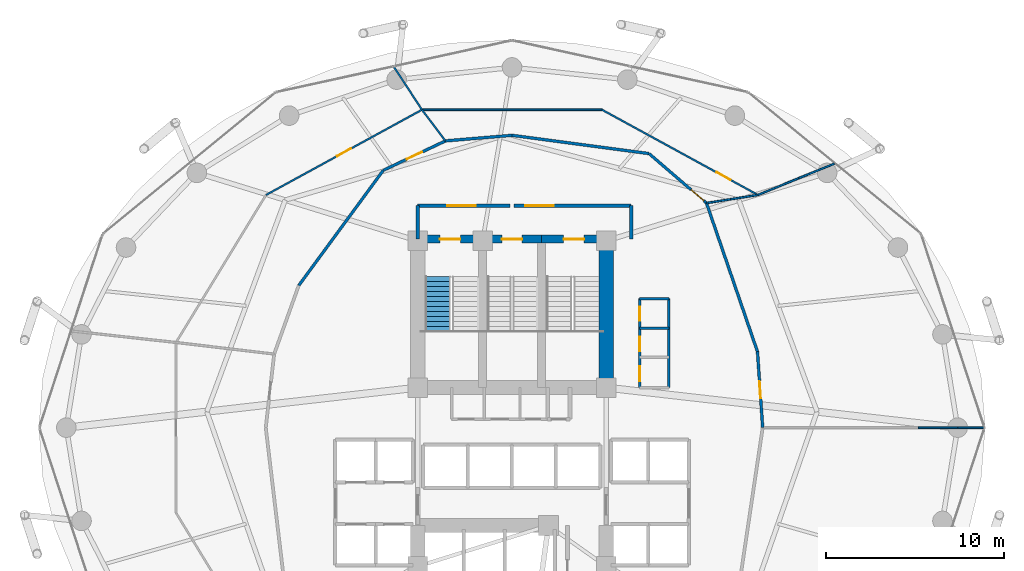
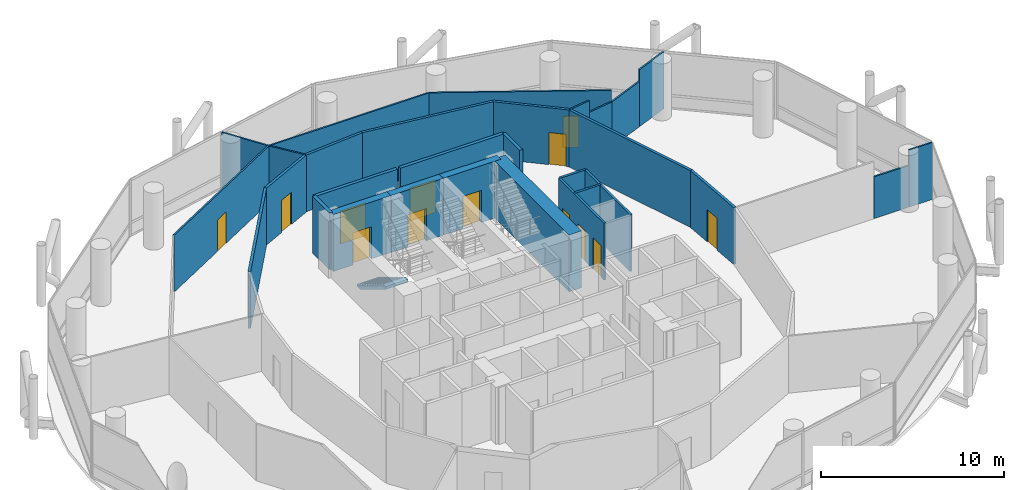
# One storey, part 23 of 25: 30 walls, 13 doors, 1 stair flight, 13 openings, 1 element without a shape of its own.
"""IFC4 building model written with IfcOpenShell, lengths in metres."""

from ifc_helpers import new_model, si_unit, direction, frame, frame_2d, origin, place, context, subcontext, project, spatial, polyline, rectangle, outline, extrude, material, layer, layer_set, type_object, element, fill, aggregate, save


model = new_model("IFC4")

# Units and contexts
model_context = context("Model", 3, precision=1e-05, world=origin(), true_north=direction((0.0, 1.0)))
body_context = subcontext(model_context, "Body", "Model", "MODEL_VIEW")
ifc_project = project(units=[si_unit("LENGTHUNIT", "METRE"), si_unit("AREAUNIT", "SQUARE_METRE"), si_unit("VOLUMEUNIT", "CUBIC_METRE"), si_unit("PLANEANGLEUNIT", "RADIAN"), si_unit("MASSUNIT", "GRAM", prefix="KILO")], contexts=[model_context])

# Site, building, storey
site_placement = place(None, origin())
site = spatial("IfcSite", under=ifc_project, at=site_placement, CompositionType="ELEMENT")
building_placement = place(site_placement, origin())
building = spatial("IfcBuilding", under=site, at=building_placement, Name="Nuhasar Tower", CompositionType="ELEMENT")
storey_placement = place(building_placement, frame((0.0, 0.0, 57.449951171875)))
storey = spatial("IfcBuildingStorey", under=building, at=storey_placement, Name="L13", CompositionType="ELEMENT", Elevation=57.449951171875)

# Wall, opening, door
ifc_material_1 = material(Name="Concrete C50/60", Category="concrete")
ifc_layer_1 = layer(ifc_material_1, 0.449951171875)
ifc_layer_set_1 = layer_set([ifc_layer_1], Name="Concrete C50/60")
wall_type_1 = type_object("IfcWallType", Name="WL-CORE-450", PredefinedType="SHEAR", material=ifc_layer_set_1)
wall_1_placement = place(storey_placement, frame((37.35009765625, 37.39990234375, 0.0), z_axis=(0.0, 0.0, 1.0), x_axis=(-1.0, 0.0, 0.0)))
wall_1 = element("IfcWall", 1, at=wall_1_placement, inside=storey, type_object=wall_type_1, Name="L13 Stairwell Shear Wall ST01-N", PredefinedType="SHEAR", context=body_context, shape_type="SweptSolid", body=[
    extrude(rectangle(XDim=3.650146484375, YDim=0.449951171875, at=frame_2d((1.8251953125, 0.0))), origin(), (0.0, 0.0, 1.0), 3.800048828125),
])
opening_1_placement = place(wall_1_placement, frame((1.25, 0.0, 0.0)))
opening_1 = element("IfcOpeningElement", 2, at=opening_1_placement, cuts=wall_1, Name="Opening DS-01", PredefinedType="OPENING", context=body_context, shape_type="SweptSolid", body=[
    extrude(rectangle(XDim=1.14990234375, YDim=2.14990234375, at=frame_2d((0.574951171875, 1.074951171875))), frame((0.0, 0.23486328125, 0.0), z_axis=(0.0, -1.0, 0.0), x_axis=(1.0, 0.0, 0.0)), (0.0, 0.0, 1.0), 0.469970703125),
])
ifc_material_2 = material(Name="Steel S355", Category="steel")
door_type_1 = type_object("IfcDoorType", Name="DR-STAIR-FD120-1150", OperationType="NOTDEFINED", PredefinedType="DOOR", material=ifc_material_2)
door_1_placement = place(opening_1_placement, origin())
door_1 = element("IfcDoor", 3, at=door_1_placement, inside=storey, type_object=door_type_1, Name="L13 Exit Stair ST-01 Door", OperationType="SINGLE_SWING_RIGHT", OverallHeight=2.14990234375, OverallWidth=1.14990234375, PredefinedType="DOOR", context=body_context, shape_type="SweptSolid", body=[
    extrude(rectangle(XDim=1.14990234375, YDim=2.14990234375, at=frame_2d((0.574951171875, 1.074951171875))), frame((0.0, 0.02490234375, 0.0), z_axis=(0.0, -1.0, 0.0), x_axis=(1.0, 0.0, 0.0)), (0.0, 0.0, 1.0), 0.050048828125),
])
fill(opening_1, door_1)

wall_2_placement = place(storey_placement, frame((40.64990234375, 37.39990234375, 0.0), z_axis=(0.0, 0.0, 1.0), x_axis=(-1.0, 0.0, 0.0)))
wall_2 = element("IfcWall", 4, at=wall_2_placement, inside=storey, type_object=wall_type_1, Name="L13 Stairwell Shear Wall ST03-N", PredefinedType="SHEAR", context=body_context, shape_type="SweptSolid", body=[
    extrude(rectangle(XDim=3.2998046875, YDim=0.449951171875, at=frame_2d((1.64990234375, 0.0))), origin(), (0.0, 0.0, 1.0), 3.800048828125),
])
opening_2_placement = place(wall_2_placement, frame((1.074951171875, 0.0, 0.0)))
opening_2 = element("IfcOpeningElement", 5, at=opening_2_placement, cuts=wall_2, Name="Opening DS-01", PredefinedType="OPENING", context=body_context, shape_type="SweptSolid", body=[
    extrude(rectangle(XDim=1.14990234375, YDim=2.14990234375, at=frame_2d((0.574951171875, 1.074951171875))), frame((0.0, 0.23486328125, 0.0), z_axis=(0.0, -1.0, 0.0), x_axis=(1.0, 0.0, 0.0)), (0.0, 0.0, 1.0), 0.469970703125),
])
door_2_placement = place(opening_2_placement, origin())
door_2 = element("IfcDoor", 6, at=door_2_placement, inside=storey, type_object=door_type_1, Name="L13 Exit Stair ST-03 Door", OperationType="SINGLE_SWING_RIGHT", OverallHeight=2.14990234375, OverallWidth=1.14990234375, PredefinedType="DOOR", context=body_context, shape_type="SweptSolid", body=[
    extrude(rectangle(XDim=1.14990234375, YDim=2.14990234375, at=frame_2d((0.574951171875, 1.074951171875))), frame((0.0, 0.02490234375, 0.0), z_axis=(0.0, -1.0, 0.0), x_axis=(1.0, 0.0, 0.0)), (0.0, 0.0, 1.0), 0.050048828125),
])
fill(opening_2, door_2)

wall_3_placement = place(storey_placement, frame((44.300048828125, 37.39990234375, 0.0), z_axis=(0.0, 0.0, 1.0), x_axis=(-1.0, 0.0, 0.0)))
wall_3 = element("IfcWall", 7, at=wall_3_placement, inside=storey, type_object=wall_type_1, Name="L13 Stairwell Shear Wall ST02-N", PredefinedType="SHEAR", context=body_context, shape_type="SweptSolid", body=[
    extrude(rectangle(XDim=3.650146484375, YDim=0.449951171875, at=frame_2d((1.8251953125, 0.0))), origin(), (0.0, 0.0, 1.0), 3.800048828125),
])
opening_3_placement = place(wall_3_placement, frame((1.25, 0.0, 0.0)))
opening_3 = element("IfcOpeningElement", 8, at=opening_3_placement, cuts=wall_3, Name="Opening DS-01", PredefinedType="OPENING", context=body_context, shape_type="SweptSolid", body=[
    extrude(rectangle(XDim=1.14990234375, YDim=2.14990234375, at=frame_2d((0.574951171875, 1.074951171875))), frame((0.0, 0.23486328125, 0.0), z_axis=(0.0, -1.0, 0.0), x_axis=(1.0, 0.0, 0.0)), (0.0, 0.0, 1.0), 0.469970703125),
])
door_3_placement = place(opening_3_placement, origin())
door_3 = element("IfcDoor", 9, at=door_3_placement, inside=storey, type_object=door_type_1, Name="L13 Exit Stair ST-02 Door", OperationType="SINGLE_SWING_LEFT", OverallHeight=2.14990234375, OverallWidth=1.14990234375, PredefinedType="DOOR", context=body_context, shape_type="SweptSolid", body=[
    extrude(rectangle(XDim=1.14990234375, YDim=2.14990234375, at=frame_2d((0.574951171875, 1.074951171875))), frame((0.0, 0.02490234375, 0.0), z_axis=(0.0, -1.0, 0.0), x_axis=(1.0, 0.0, 0.0)), (0.0, 0.0, 1.0), 0.050048828125),
])
fill(opening_3, door_3)

# Wall
ifc_material_3 = material(Name="Concrete C80/95", Category="concrete")
ifc_layer_2 = layer(ifc_material_3, 0.800048828125)
ifc_layer_set_2 = layer_set([ifc_layer_2], Name="Concrete C80/95")
wall_type_2 = type_object("IfcWallType", Name="WL-CORE-800", PredefinedType="SHEAR", material=ifc_layer_set_2)
wall_4_placement = place(storey_placement, frame((44.300048828125, 29.050048828125, 0.0), z_axis=(0.0, 0.0, 1.0), x_axis=(0.0, 1.0, 0.0)))
element("IfcWall", 10, at=wall_4_placement, inside=storey, type_object=wall_type_2, Name="L13 Core Shear Wall CW-NE CW-800", PredefinedType="SHEAR", context=body_context, shape_type="SweptSolid", body=[
    extrude(rectangle(XDim=8.349853515625, YDim=0.800048828125, at=frame_2d((4.1748046875, 0.0))), origin(), (0.0, 0.0, 1.0), 3.800048828125),
])

# Wall, opening, door
ifc_material_4 = material(Name="Gypsum Board", Category="gypsum")
ifc_layer_3 = layer(ifc_material_4, 0.159912109375)
ifc_layer_set_3 = layer_set([ifc_layer_3], Name="Gypsum Board")
wall_type_3 = type_object("IfcWallType", Name="WL-CORR-160", PredefinedType="PARTITIONING", material=ifc_layer_set_3)
wall_5_placement = place(storey_placement, frame((52.798095703125, 31.069091796875, 0.0), z_axis=(0.0, 0.0, 1.0), x_axis=(0.068238144639, -0.99766906117, 0.0)))
wall_5 = element("IfcWall", 11, at=wall_5_placement, inside=storey, type_object=wall_type_3, Name="L13 Interior Partition CORR-00", PredefinedType="PARTITIONING", context=body_context, shape_type="SweptSolid", body=[
    extrude(rectangle(XDim=4.279052734375, YDim=0.159912109375, at=frame_2d((2.1396484375, 0.0))), origin(), (0.0, 0.0, 1.0), 3.800048828125),
])
opening_4_placement = place(wall_5_placement, frame((1.6640625, 0.0, 0.0)))
opening_4 = element("IfcOpeningElement", 12, at=opening_4_placement, cuts=wall_5, Name="Opening DO-01", PredefinedType="OPENING", context=body_context, shape_type="SweptSolid", body=[
    extrude(rectangle(XDim=0.949951171875, YDim=2.14990234375, at=frame_2d((0.47509765625, 1.074951171875))), frame((0.0, 0.08984375, 0.0), z_axis=(0.0, -1.0, 0.0), x_axis=(1.0, 0.0, 0.0)), (0.0, 0.0, 1.0), 0.179931640625),
])
ifc_material_5 = material(Name="Timber Oak", Category="wood")
door_type_2 = type_object("IfcDoorType", Name="DR-OFFICE-FD30-950", OperationType="NOTDEFINED", PredefinedType="DOOR", material=ifc_material_5)
door_4_placement = place(opening_4_placement, origin())
door_4 = element("IfcDoor", 13, at=door_4_placement, inside=storey, type_object=door_type_2, Name="L13 Quantitative Markets Lounge Entry Door", OperationType="SINGLE_SWING_LEFT", OverallHeight=2.14990234375, OverallWidth=0.949951171875, PredefinedType="DOOR", context=body_context, shape_type="SweptSolid", body=[
    extrude(rectangle(XDim=0.949951171875, YDim=2.14990234375, at=frame_2d((0.47509765625, 1.074951171875))), frame((0.0, 0.02490234375, 0.0), z_axis=(0.0, -1.0, 0.0), x_axis=(1.0, 0.0, 0.0)), (0.0, 0.0, 1.0), 0.050048828125),
])
fill(opening_4, door_4)

# Wall
wall_6_placement = place(storey_placement, frame((52.798095703125, 31.069091796875, 0.0), z_axis=(0.0, 0.0, 1.0), x_axis=(-0.32452502426, 0.945877110744, 0.0)))
element("IfcWall", 14, at=wall_6_placement, inside=storey, type_object=wall_type_3, Name="L13 Interior Partition CORR-02", PredefinedType="PARTITIONING", context=body_context, shape_type="SweptSolid", body=[
    extrude(rectangle(XDim=8.83203125, YDim=0.159912109375, at=frame_2d((4.416015625, 0.0))), origin(), (0.0, 0.0, 1.0), 3.800048828125),
])

# Wall, opening, door
wall_7_placement = place(storey_placement, frame((46.702880859375, 42.2041015625, 0.0), z_axis=(0.0, 0.0, 1.0), x_axis=(0.757713718274, -0.652587098508, 0.0)))
wall_7 = element("IfcWall", 15, at=wall_7_placement, inside=storey, type_object=wall_type_3, Name="L13 Interior Partition CORR-06", PredefinedType="PARTITIONING", context=body_context, shape_type="SweptSolid", body=[
    extrude(rectangle(XDim=4.261474609375, YDim=0.159912109375, at=frame_2d((2.130859375, 0.0))), origin(), (0.0, 0.0, 1.0), 3.800048828125),
])
opening_5_placement = place(wall_7_placement, frame((3.112060546875, 0.0, 0.0)))
opening_5 = element("IfcOpeningElement", 16, at=opening_5_placement, cuts=wall_7, Name="Opening DO-01", PredefinedType="OPENING", context=body_context, shape_type="SweptSolid", body=[
    extrude(rectangle(XDim=0.949951171875, YDim=2.14990234375, at=frame_2d((0.47509765625, 1.074951171875))), frame((0.0, 0.08984375, 0.0), z_axis=(0.0, -1.0, 0.0), x_axis=(1.0, 0.0, 0.0)), (0.0, 0.0, 1.0), 0.179931640625),
])
door_5_placement = place(opening_5_placement, origin())
door_5 = element("IfcDoor", 17, at=door_5_placement, inside=storey, type_object=door_type_2, Name="L13 Portfolio Research Office 1 Entry Door", OperationType="SINGLE_SWING_RIGHT", OverallHeight=2.14990234375, OverallWidth=0.949951171875, PredefinedType="DOOR", context=body_context, shape_type="SweptSolid", body=[
    extrude(rectangle(XDim=0.949951171875, YDim=2.14990234375, at=frame_2d((0.47509765625, 1.074951171875))), frame((0.0, 0.02490234375, 0.0), z_axis=(0.0, -1.0, 0.0), x_axis=(1.0, 0.0, 0.0)), (0.0, 0.0, 1.0), 0.050048828125),
])
fill(opening_5, door_5)

# Walls
wall_8_placement = place(storey_placement, frame((46.702880859375, 42.2041015625, 0.0), z_axis=(0.0, 0.0, 1.0), x_axis=(-0.991247645473, 0.132015549627, 0.0)))
element("IfcWall", 18, at=wall_8_placement, inside=storey, type_object=wall_type_3, Name="L13 Interior Partition CORR-08", PredefinedType="PARTITIONING", context=body_context, shape_type="SweptSolid", body=[
    extrude(rectangle(XDim=7.77099609375, YDim=0.159912109375, at=frame_2d((3.885498046875, 0.0))), origin(), (0.0, 0.0, 1.0), 3.800048828125),
])
wall_9_placement = place(storey_placement, frame((39.0, 43.22998046875, 0.0), z_axis=(0.0, 0.0, 1.0), x_axis=(-0.996516536006, -0.083395404345, 0.0)))
element("IfcWall", 19, at=wall_9_placement, inside=storey, type_object=wall_type_3, Name="L13 Interior Partition CORR-12", PredefinedType="PARTITIONING", context=body_context, shape_type="SweptSolid", body=[
    extrude(rectangle(XDim=3.753173828125, YDim=0.159912109375, at=frame_2d((1.87646484375, 0.0))), origin(), (0.0, 0.0, 1.0), 3.800048828125),
])

# Wall, opening, door
wall_10_placement = place(storey_placement, frame((31.76708984375, 41.264892578125, 0.0), z_axis=(0.0, 0.0, 1.0), x_axis=(0.90398213878, 0.427570219691, 0.0)))
wall_10 = element("IfcWall", 20, at=wall_10_placement, inside=storey, type_object=wall_type_3, Name="L13 Interior Partition CORR-14", PredefinedType="PARTITIONING", context=body_context, shape_type="SweptSolid", body=[
    extrude(rectangle(XDim=3.864013671875, YDim=0.159912109375, at=frame_2d((1.93212890625, 0.0))), origin(), (0.0, 0.0, 1.0), 3.800048828125),
])
opening_6_placement = place(wall_10_placement, frame((1.45703125, 0.0, 0.0)))
opening_6 = element("IfcOpeningElement", 21, at=opening_6_placement, cuts=wall_10, Name="Opening DO-01", PredefinedType="OPENING", context=body_context, shape_type="SweptSolid", body=[
    extrude(rectangle(XDim=0.949951171875, YDim=2.14990234375, at=frame_2d((0.47509765625, 1.074951171875))), frame((0.0, 0.08984375, 0.0), z_axis=(0.0, -1.0, 0.0), x_axis=(1.0, 0.0, 0.0)), (0.0, 0.0, 1.0), 0.179931640625),
])
door_6_placement = place(opening_6_placement, origin())
door_6 = element("IfcDoor", 22, at=door_6_placement, inside=storey, type_object=door_type_2, Name="L13 Portfolio Research Office 2 Entry Door", OperationType="SINGLE_SWING_RIGHT", OverallHeight=2.14990234375, OverallWidth=0.949951171875, PredefinedType="DOOR", context=body_context, shape_type="SweptSolid", body=[
    extrude(rectangle(XDim=0.949951171875, YDim=2.14990234375, at=frame_2d((0.47509765625, 1.074951171875))), frame((0.0, 0.02490234375, 0.0), z_axis=(0.0, -1.0, 0.0), x_axis=(1.0, 0.0, 0.0)), (0.0, 0.0, 1.0), 0.050048828125),
])
fill(opening_6, door_6)

# Walls
wall_11_placement = place(storey_placement, frame((31.76708984375, 41.264892578125, 0.0), z_axis=(0.0, 0.0, 1.0), x_axis=(-0.59176417482, -0.806111134645, 0.0)))
element("IfcWall", 23, at=wall_11_placement, inside=storey, type_object=wall_type_3, Name="L13 Interior Partition CORR-16", PredefinedType="PARTITIONING", context=body_context, shape_type="SweptSolid", body=[
    extrude(rectangle(XDim=8.0322265625, YDim=0.159912109375, at=frame_2d((4.01611328125, 0.0))), origin(), (0.0, 0.0, 1.0), 3.800048828125),
])
ifc_material_6 = material(Name="Concrete C45/55", Category="concrete")
ifc_layer_4 = layer(ifc_material_6, 0.199951171875)
ifc_layer_set_4 = layer_set([ifc_layer_4], Name="Concrete C45/55")
wall_type_4 = type_object("IfcWallType", Name="WL-LOBBY-200", PredefinedType="SOLIDWALL", material=ifc_layer_set_4)
for number, where, z_axis, x_axis, name in (
    (24, (33.699951171875, 37.39990234375, 0.0), (0.0, 0.0, 1.0), (0.0, 1.0, 0.0), "L13 Interior Partition NSL-W"),
    (25, (45.699951171875, 37.39990234375, 0.0), (0.0, 0.0, 1.0), (0.0, 1.0, 0.0), "L13 Interior Partition NSL-E"),
):
    element("IfcWall", number, at=place(storey_placement, frame(where, z_axis=z_axis, x_axis=x_axis)), inside=storey, type_object=wall_type_4, Name=name, PredefinedType="SOLIDWALL", context=body_context, shape_type="SweptSolid", body=[
        extrude(rectangle(XDim=1.880126953125, YDim=0.199951171875, at=frame_2d((0.93994140625, 0.0))), origin(), (0.0, 0.0, 1.0), 3.800048828125),
    ])

# Wall, opening, door
wall_12_placement = place(storey_placement, frame((38.89990234375, 39.280029296875, 0.0), z_axis=(0.0, 0.0, 1.0), x_axis=(-1.0, 0.0, 0.0)))
wall_12 = element("IfcWall", 26, at=wall_12_placement, inside=storey, type_object=wall_type_4, Name="L13 Interior Partition NSL-N1", PredefinedType="SOLIDWALL", context=body_context, shape_type="SweptSolid", body=[
    extrude(rectangle(XDim=5.199951171875, YDim=0.199951171875, at=frame_2d((2.60009765625, 0.0))), origin(), (0.0, 0.0, 1.0), 3.800048828125),
])
opening_7_placement = place(wall_12_placement, frame((1.949951171875, 0.0, 0.0)))
opening_7 = element("IfcOpeningElement", 27, at=opening_7_placement, cuts=wall_12, Name="Opening DC-01", PredefinedType="OPENING", context=body_context, shape_type="SweptSolid", body=[
    extrude(rectangle(XDim=1.60009765625, YDim=2.199951171875, at=frame_2d((0.800048828125, 1.10009765625))), frame((0.0, 0.10986328125, 0.0), z_axis=(0.0, -1.0, 0.0), x_axis=(1.0, 0.0, 0.0)), (0.0, 0.0, 1.0), 0.219970703125),
])
door_type_3 = type_object("IfcDoorType", Name="DR-CORR-FD60-1600", OperationType="DOUBLE_DOOR_SINGLE_SWING", PredefinedType="DOOR", material=ifc_material_2)
door_7_placement = place(opening_7_placement, origin())
door_7 = element("IfcDoor", 28, at=door_7_placement, inside=storey, type_object=door_type_3, Name="L13 North Stair Lobby West Door", OperationType="DOUBLE_DOOR_SINGLE_SWING", OverallHeight=2.199951171875, OverallWidth=1.60009765625, PredefinedType="DOOR", context=body_context, shape_type="SweptSolid", body=[
    extrude(rectangle(XDim=1.60009765625, YDim=2.199951171875, at=frame_2d((0.800048828125, 1.10009765625))), frame((0.0, 0.02490234375, 0.0), z_axis=(0.0, -1.0, 0.0), x_axis=(1.0, 0.0, 0.0)), (0.0, 0.0, 1.0), 0.050048828125),
])
fill(opening_7, door_7)

wall_13_placement = place(storey_placement, frame((45.699951171875, 39.280029296875, 0.0), z_axis=(0.0, 0.0, 1.0), x_axis=(-1.0, 0.0, 0.0)))
wall_13 = element("IfcWall", 29, at=wall_13_placement, inside=storey, type_object=wall_type_4, Name="L13 Interior Partition NSL-N2", PredefinedType="SOLIDWALL", context=body_context, shape_type="SweptSolid", body=[
    extrude(rectangle(XDim=6.599853515625, YDim=0.199951171875, at=frame_2d((3.2998046875, 0.0))), origin(), (0.0, 0.0, 1.0), 3.800048828125),
])
opening_8_placement = place(wall_13_placement, frame((4.35009765625, 0.0, 0.0)))
opening_8 = element("IfcOpeningElement", 30, at=opening_8_placement, cuts=wall_13, Name="Opening DC-01", PredefinedType="OPENING", context=body_context, shape_type="SweptSolid", body=[
    extrude(rectangle(XDim=1.60009765625, YDim=2.199951171875, at=frame_2d((0.800048828125, 1.10009765625))), frame((0.0, 0.10986328125, 0.0), z_axis=(0.0, -1.0, 0.0), x_axis=(1.0, 0.0, 0.0)), (0.0, 0.0, 1.0), 0.219970703125),
])
door_8_placement = place(opening_8_placement, origin())
door_8 = element("IfcDoor", 31, at=door_8_placement, inside=storey, type_object=door_type_3, Name="L13 North Stair Lobby East Door", OperationType="DOUBLE_DOOR_SINGLE_SWING", OverallHeight=2.199951171875, OverallWidth=1.60009765625, PredefinedType="DOOR", context=body_context, shape_type="SweptSolid", body=[
    extrude(rectangle(XDim=1.60009765625, YDim=2.199951171875, at=frame_2d((0.800048828125, 1.10009765625))), frame((0.0, 0.02490234375, 0.0), z_axis=(0.0, -1.0, 0.0), x_axis=(1.0, 0.0, 0.0)), (0.0, 0.0, 1.0), 0.050048828125),
])
fill(opening_8, door_8)

# Walls
ifc_material_7 = material(Name="Aluminium 6063-T6", Category="aluminium")
ifc_layer_5 = layer(ifc_material_7, 0.10009765625)
ifc_layer_set_5 = layer_set([ifc_layer_5], Name="Aluminium 6063-T6")
wall_type_5 = type_object("IfcWallType", Name="WL-MOVABLE-100", PredefinedType="MOVABLE", material=ifc_layer_set_5)
wall_14_placement = place(storey_placement, frame((61.840087890625, 26.800048828125, 0.0), z_axis=(0.0, 0.0, 1.0), x_axis=(1.0, 0.0, 0.0)))
element("IfcWall", 32, at=wall_14_placement, inside=storey, type_object=wall_type_5, Name="L13 Interior Partition ORAD-00", PredefinedType="MOVABLE", context=body_context, shape_type="SweptSolid", body=[
    extrude(rectangle(XDim=2.2158203125, YDim=0.10009765625, at=frame_2d((1.10791015625, 0.0))), origin(), (0.0, 0.0, 1.0), 2.7900390625),
])
wall_15_placement = place(storey_placement, frame((64.055908203125, 26.800048828125, 0.0), z_axis=(0.0, 0.0, 1.0), x_axis=(1.0, 0.0, 0.0)))
element("IfcWall", 33, at=wall_15_placement, inside=storey, type_object=wall_type_5, Name="L13 Interior Partition ORAD-00", PredefinedType="MOVABLE", context=body_context, shape_type="SweptSolid", body=[
    extrude(rectangle(XDim=1.468994140625, YDim=0.10009765625, at=frame_2d((0.734375, 0.0))), origin(), (0.0, 0.0, 1.0), 3.800048828125),
])
wall_16_placement = place(storey_placement, frame((49.931884765625, 39.423095703125, 0.0), z_axis=(0.0, 0.0, 1.0), x_axis=(0.987804034071, 0.155702248772, 0.0)))
element("IfcWall", 34, at=wall_16_placement, inside=storey, type_object=wall_type_5, Name="L13 Interior Partition ORAD-06-S1", PredefinedType="MOVABLE", context=body_context, shape_type="SweptSolid", body=[
    extrude(rectangle(XDim=1.348388671875, YDim=0.10009765625, at=frame_2d((0.67431640625, 0.0))), origin(), (0.0, 0.0, 1.0), 3.800048828125),
])
wall_17_placement = place(storey_placement, frame((51.263916015625, 39.633056640625, 0.0), z_axis=(0.0, 0.0, 1.0), x_axis=(0.9877140387, 0.15627212725, 0.0)))
element("IfcWall", 35, at=wall_17_placement, inside=storey, type_object=wall_type_5, Name="L13 Interior Partition ORAD-06-S1", PredefinedType="MOVABLE", context=body_context, shape_type="SweptSolid", body=[
    extrude(rectangle(XDim=1.579345703125, YDim=0.10009765625, at=frame_2d((0.78955078125, 0.0))), origin(), (0.0, 0.0, 1.0), 3.02001953125),
])
wall_18_placement = place(storey_placement, frame((52.823974609375, 39.8798828125, 0.0), z_axis=(0.0, 0.0, 1.0), x_axis=(0.92535552939, 0.379100440817, 0.0)))
element("IfcWall", 36, at=wall_18_placement, inside=storey, type_object=wall_type_5, Name="L13 Interior Partition ORAD-06-S2", PredefinedType="MOVABLE", context=body_context, shape_type="SweptSolid", body=[
    extrude(rectangle(XDim=2.47998046875, YDim=0.10009765625, at=frame_2d((1.239990234375, 0.0))), origin(), (0.0, 0.0, 1.0), 3.02001953125),
])
wall_19_placement = place(storey_placement, frame((55.118896484375, 40.820068359375, 0.0), z_axis=(0.0, 0.0, 1.0), x_axis=(0.925467678062, 0.378826578875, 0.0)))
element("IfcWall", 37, at=wall_19_placement, inside=storey, type_object=wall_type_5, Name="L13 Interior Partition ORAD-06-S2", PredefinedType="MOVABLE", context=body_context, shape_type="SweptSolid", body=[
    extrude(rectangle(XDim=2.158935546875, YDim=0.10009765625, at=frame_2d((1.07958984375, 0.0))), origin(), (0.0, 0.0, 1.0), 3.800048828125),
])

# Wall, opening, door
wall_20_placement = place(storey_placement, frame((44.06005859375, 44.66796875, 0.0), z_axis=(0.0, 0.0, 1.0), x_axis=(0.877568372218, -0.479451511712, 0.0)))
wall_20 = element("IfcWall", 38, at=wall_20_placement, inside=storey, type_object=wall_type_5, Name="L13 Interior Partition OMID-02-06", PredefinedType="MOVABLE", context=body_context, shape_type="SweptSolid", body=[
    extrude(rectangle(XDim=9.986572265625, YDim=0.10009765625, at=frame_2d((4.9931640625, 0.0))), origin(), (0.0, 0.0, 1.0), 3.800048828125),
])
opening_9_placement = place(wall_20_placement, frame((7.330078125, 0.0, 0.0)))
opening_9 = element("IfcOpeningElement", 39, at=opening_9_placement, cuts=wall_20, Name="Opening DR-01", PredefinedType="OPENING", context=body_context, shape_type="SweptSolid", body=[
    extrude(rectangle(XDim=0.89990234375, YDim=2.10009765625, at=frame_2d((0.449951171875, 1.050048828125))), frame((0.0, 0.06005859375, 0.0), z_axis=(0.0, -1.0, 0.0), x_axis=(1.0, 0.0, 0.0)), (0.0, 0.0, 1.0), 0.1201171875),
])
door_type_4 = type_object("IfcDoorType", Name="DR-ROOM-900", OperationType="NOTDEFINED", PredefinedType="DOOR", material=ifc_material_5)
door_9_placement = place(opening_9_placement, origin())
door_9 = element("IfcDoor", 40, at=door_9_placement, inside=storey, type_object=door_type_4, Name="L13 Portfolio Research Office 1 Inner Door", OperationType="SINGLE_SWING_RIGHT", OverallHeight=2.10009765625, OverallWidth=0.89990234375, PredefinedType="DOOR", context=body_context, shape_type="SweptSolid", body=[
    extrude(rectangle(XDim=0.89990234375, YDim=2.10009765625, at=frame_2d((0.449951171875, 1.050048828125))), frame((0.0, 0.02490234375, 0.0), z_axis=(0.0, -1.0, 0.0), x_axis=(1.0, 0.0, 0.0)), (0.0, 0.0, 1.0), 0.050048828125),
])
fill(opening_9, door_9)

# Walls
wall_21_placement = place(storey_placement, frame((44.06005859375, 44.66796875, 0.0), z_axis=(0.0, 0.0, 1.0), x_axis=(-1.0, 0.0, 0.0)))
element("IfcWall", 41, at=wall_21_placement, inside=storey, type_object=wall_type_5, Name="L13 Interior Partition OMID-02-10", PredefinedType="MOVABLE", context=body_context, shape_type="SweptSolid", body=[
    extrude(rectangle(XDim=10.1201171875, YDim=0.10009765625, at=frame_2d((5.06005859375, 0.0))), origin(), (0.0, 0.0, 1.0), 3.800048828125),
])
wall_22_placement = place(storey_placement, frame((35.260009765625, 42.9169921875, 0.0), z_axis=(0.0, 0.0, 1.0), x_axis=(-0.601993273634, 0.798501157482, 0.0)))
element("IfcWall", 42, at=wall_22_placement, inside=storey, type_object=wall_type_5, Name="L13 Interior Partition ORAD-14-S1", PredefinedType="MOVABLE", context=body_context, shape_type="SweptSolid", body=[
    extrude(rectangle(XDim=2.19287109375, YDim=0.10009765625, at=frame_2d((1.096435546875, 0.0))), origin(), (0.0, 0.0, 1.0), 3.800048828125),
])
wall_23_placement = place(storey_placement, frame((33.93994140625, 44.66796875, 0.0), z_axis=(0.0, 0.0, 1.0), x_axis=(-0.54751296274, 0.836797201018, 0.0)))
element("IfcWall", 43, at=wall_23_placement, inside=storey, type_object=wall_type_5, Name="L13 Interior Partition ORAD-14-S2", PredefinedType="MOVABLE", context=body_context, shape_type="SweptSolid", body=[
    extrude(rectangle(XDim=2.869384765625, YDim=0.10009765625, at=frame_2d((1.4345703125, 0.0))), origin(), (0.0, 0.0, 1.0), 3.800048828125),
])

# Wall, opening, door
wall_24_placement = place(storey_placement, frame((25.176025390625, 39.8798828125, 0.0), z_axis=(0.0, 0.0, 1.0), x_axis=(0.877568372218, 0.479451511712, 0.0)))
wall_24 = element("IfcWall", 44, at=wall_24_placement, inside=storey, type_object=wall_type_5, Name="L13 Interior Partition OMID-03-14", PredefinedType="MOVABLE", context=body_context, shape_type="SweptSolid", body=[
    extrude(rectangle(XDim=9.986572265625, YDim=0.10009765625, at=frame_2d((4.9931640625, 0.0))), origin(), (0.0, 0.0, 1.0), 3.800048828125),
])
opening_10_placement = place(wall_24_placement, frame((4.54296875, 0.0, 0.0)))
opening_10 = element("IfcOpeningElement", 45, at=opening_10_placement, cuts=wall_24, Name="Opening DR-01", PredefinedType="OPENING", context=body_context, shape_type="SweptSolid", body=[
    extrude(rectangle(XDim=0.89990234375, YDim=2.10009765625, at=frame_2d((0.449951171875, 1.050048828125))), frame((0.0, 0.06005859375, 0.0), z_axis=(0.0, -1.0, 0.0), x_axis=(1.0, 0.0, 0.0)), (0.0, 0.0, 1.0), 0.1201171875),
])
door_10_placement = place(opening_10_placement, origin())
door_10 = element("IfcDoor", 46, at=door_10_placement, inside=storey, type_object=door_type_4, Name="L13 Portfolio Research Office 2 Inner Door", OperationType="SINGLE_SWING_LEFT", OverallHeight=2.10009765625, OverallWidth=0.89990234375, PredefinedType="DOOR", context=body_context, shape_type="SweptSolid", body=[
    extrude(rectangle(XDim=0.89990234375, YDim=2.10009765625, at=frame_2d((0.449951171875, 1.050048828125))), frame((0.0, 0.02490234375, 0.0), z_axis=(0.0, -1.0, 0.0), x_axis=(1.0, 0.0, 0.0)), (0.0, 0.0, 1.0), 0.050048828125),
])
fill(opening_10, door_10)

# Wall, openings, doors
ifc_material_8 = material(Name="Concrete C40/50 precast", Category="concrete")
ifc_layer_6 = layer(ifc_material_8, 0.139892578125)
ifc_layer_set_6 = layer_set([ifc_layer_6], Name="Concrete C40/50 precast")
wall_type_6 = type_object("IfcWallType", Name="WL-WET-140", PredefinedType="PARTITIONING", material=ifc_layer_set_6)
wall_25_placement = place(storey_placement, frame((46.179931640625, 34.050048828125, 0.0), z_axis=(0.0, 0.0, 1.0), x_axis=(0.0, -1.0, 0.0)))
wall_25 = element("IfcWall", 47, at=wall_25_placement, inside=storey, type_object=wall_type_6, Name="L13 Interior Partition K1-NE-W", PredefinedType="PARTITIONING", context=body_context, shape_type="SweptSolid", body=[
    extrude(rectangle(XDim=5.0, YDim=0.139892578125, at=frame_2d((2.5, 0.0))), origin(), (0.0, 0.0, 1.0), 3.800048828125),
])
opening_11_placement = place(wall_25_placement, frame((3.800048828125, 0.0, 0.0)))
opening_11 = element("IfcOpeningElement", 48, at=opening_11_placement, cuts=wall_25, Name="Opening DB-01", PredefinedType="OPENING", context=body_context, shape_type="SweptSolid", body=[
    extrude(rectangle(XDim=0.85009765625, YDim=2.10009765625, at=frame_2d((0.425048828125, 1.050048828125))), frame((0.0, 0.080078125, 0.0), z_axis=(0.0, -1.0, 0.0), x_axis=(1.0, 0.0, 0.0)), (0.0, 0.0, 1.0), 0.159912109375),
])
opening_12_placement = place(wall_25_placement, frame((2.14990234375, 0.0, 0.0)))
opening_12 = element("IfcOpeningElement", 49, at=opening_12_placement, cuts=wall_25, Name="Opening DM-01", PredefinedType="OPENING", context=body_context, shape_type="SweptSolid", body=[
    extrude(rectangle(XDim=0.800048828125, YDim=2.050048828125, at=frame_2d((0.39990234375, 1.02490234375))), frame((0.0, 0.080078125, 0.0), z_axis=(0.0, -1.0, 0.0), x_axis=(1.0, 0.0, 0.0)), (0.0, 0.0, 1.0), 0.159912109375),
])
opening_13_placement = place(wall_25_placement, frame((0.449951171875, 0.0, 0.0)))
opening_13 = element("IfcOpeningElement", 50, at=opening_13_placement, cuts=wall_25, Name="Opening DM-01", PredefinedType="OPENING", context=body_context, shape_type="SweptSolid", body=[
    extrude(rectangle(XDim=0.800048828125, YDim=2.050048828125, at=frame_2d((0.39990234375, 1.02490234375))), frame((0.0, 0.080078125, 0.0), z_axis=(0.0, -1.0, 0.0), x_axis=(1.0, 0.0, 0.0)), (0.0, 0.0, 1.0), 0.159912109375),
])
door_type_5 = type_object("IfcDoorType", Name="DR-BATH-850", OperationType="NOTDEFINED", PredefinedType="DOOR", material=ifc_material_5)
door_11_placement = place(opening_11_placement, origin())
door_11 = element("IfcDoor", 51, at=door_11_placement, inside=storey, type_object=door_type_5, Name="L13 NE Female WC Door", OperationType="SINGLE_SWING_RIGHT", OverallHeight=2.10009765625, OverallWidth=0.85009765625, PredefinedType="DOOR", context=body_context, shape_type="SweptSolid", body=[
    extrude(rectangle(XDim=0.85009765625, YDim=2.10009765625, at=frame_2d((0.425048828125, 1.050048828125))), frame((0.0, 0.02490234375, 0.0), z_axis=(0.0, -1.0, 0.0), x_axis=(1.0, 0.0, 0.0)), (0.0, 0.0, 1.0), 0.050048828125),
])
fill(opening_11, door_11)
door_type_6 = type_object("IfcDoorType", Name="DR-RISER-FD60-800", OperationType="NOTDEFINED", PredefinedType="DOOR", material=ifc_material_2)
door_12_placement = place(opening_12_placement, origin())
door_12 = element("IfcDoor", 52, at=door_12_placement, inside=storey, type_object=door_type_6, Name="L13 NE Meter Door", OperationType="SINGLE_SWING_RIGHT", OverallHeight=2.050048828125, OverallWidth=0.800048828125, PredefinedType="DOOR", context=body_context, shape_type="SweptSolid", body=[
    extrude(rectangle(XDim=0.800048828125, YDim=2.050048828125, at=frame_2d((0.39990234375, 1.02490234375))), frame((0.0, 0.02490234375, 0.0), z_axis=(0.0, -1.0, 0.0), x_axis=(1.0, 0.0, 0.0)), (0.0, 0.0, 1.0), 0.050048828125),
])
fill(opening_12, door_12)
door_13_placement = place(opening_13_placement, origin())
door_13 = element("IfcDoor", 53, at=door_13_placement, inside=storey, type_object=door_type_6, Name="L13 NE Telecom Door", OperationType="SINGLE_SWING_LEFT", OverallHeight=2.050048828125, OverallWidth=0.800048828125, PredefinedType="DOOR", context=body_context, shape_type="SweptSolid", body=[
    extrude(rectangle(XDim=0.800048828125, YDim=2.050048828125, at=frame_2d((0.39990234375, 1.02490234375))), frame((0.0, 0.02490234375, 0.0), z_axis=(0.0, -1.0, 0.0), x_axis=(1.0, 0.0, 0.0)), (0.0, 0.0, 1.0), 0.050048828125),
])
fill(opening_13, door_13)

# Walls
for number, where, z_axis, x_axis, name in (
    (54, (46.179931640625, 32.39990234375, 0.0), (0.0, 0.0, 1.0), (1.0, 0.0, 0.0), "L13 Interior Partition K1-NE-M2"),
    (55, (46.179931640625, 34.050048828125, 0.0), (0.0, 0.0, 1.0), (1.0, 0.0, 0.0), "L13 Interior Partition K1-NE-N"),
):
    element("IfcWall", number, at=place(storey_placement, frame(where, z_axis=z_axis, x_axis=x_axis)), inside=storey, type_object=wall_type_6, Name=name, PredefinedType="PARTITIONING", context=body_context, shape_type="SweptSolid", body=[
        extrude(rectangle(XDim=1.64013671875, YDim=0.139892578125, at=frame_2d((0.820068359375, 0.0))), origin(), (0.0, 0.0, 1.0), 3.800048828125),
    ])
wall_26_placement = place(storey_placement, frame((47.820068359375, 29.050048828125, 0.0), z_axis=(0.0, 0.0, 1.0), x_axis=(0.0, 1.0, 0.0)))
element("IfcWall", 56, at=wall_26_placement, inside=storey, type_object=wall_type_6, Name="L13 Interior Partition K1-NE-E", PredefinedType="PARTITIONING", context=body_context, shape_type="SweptSolid", body=[
    extrude(rectangle(XDim=5.0, YDim=0.139892578125, at=frame_2d((2.5, 0.0))), origin(), (0.0, 0.0, 1.0), 3.800048828125),
])

# Stair, stair flight
stair_type = type_object("IfcStairType", Name="STR-ST-01-2F-24R-1688", PredefinedType="HALF_TURN_STAIR", material=ifc_material_6)
stair_placement = place(storey_placement, origin())
stair = element("IfcStair", 57, at=stair_placement, inside=storey, type_object=stair_type, Name="L13 Exit Stair ST-01", PredefinedType="HALF_TURN_STAIR")
stair_flight_type = type_object("IfcStairFlightType", Name="SFL-ST-01-12R-1688", PredefinedType="STRAIGHT", material=ifc_material_6)
stair_flight_placement = place(storey_placement, frame((34.830078125, 35.284912109375, 0.0), z_axis=(0.0, 0.0, 1.0), x_axis=(0.0, -1.0, 0.0)))
stair_flight = element("IfcStairFlight", 58, at=stair_flight_placement, type_object=stair_flight_type, Name="ST-01 flight 1", NumberOfRisers=12, NumberOfTreads=11, PredefinedType="STRAIGHT", RiserHeight=0.16875, TreadLength=0.28, context=body_context, shape_type="SweptSolid", body=[
    extrude(outline(polyline([(0.0, 0.0), (0.0, 0.168701171875), (0.280029296875, 0.168701171875), (0.280029296875, 0.33740234375), (0.56005859375, 0.33740234375), (0.56005859375, 0.50634765625), (0.840087890625, 0.50634765625), (0.840087890625, 0.675048828125), (1.1201171875, 0.675048828125), (1.1201171875, 0.84375), (1.39990234375, 0.84375), (1.39990234375, 1.012451171875), (1.679931640625, 1.012451171875), (1.679931640625, 1.18115234375), (1.9599609375, 1.18115234375), (1.9599609375, 1.35009765625), (2.239990234375, 1.35009765625), (2.239990234375, 1.518798828125), (2.52001953125, 1.518798828125), (2.52001953125, 1.6875), (2.800048828125, 1.6875), (2.800048828125, 1.856201171875), (3.080078125, 1.856201171875), (3.080078125, 2.02490234375), (3.080078125, 1.66943359375), (0.309814453125, 0.0), (0.0, 0.0)])), frame((0.0, 0.7099609375, 0.0), z_axis=(0.0, -1.0, 0.0), x_axis=(1.0, 0.0, 0.0)), (0.0, 0.0, 1.0), 1.419921875),
])
aggregate(stair, [stair_flight])

save(model, "model.ifc")
